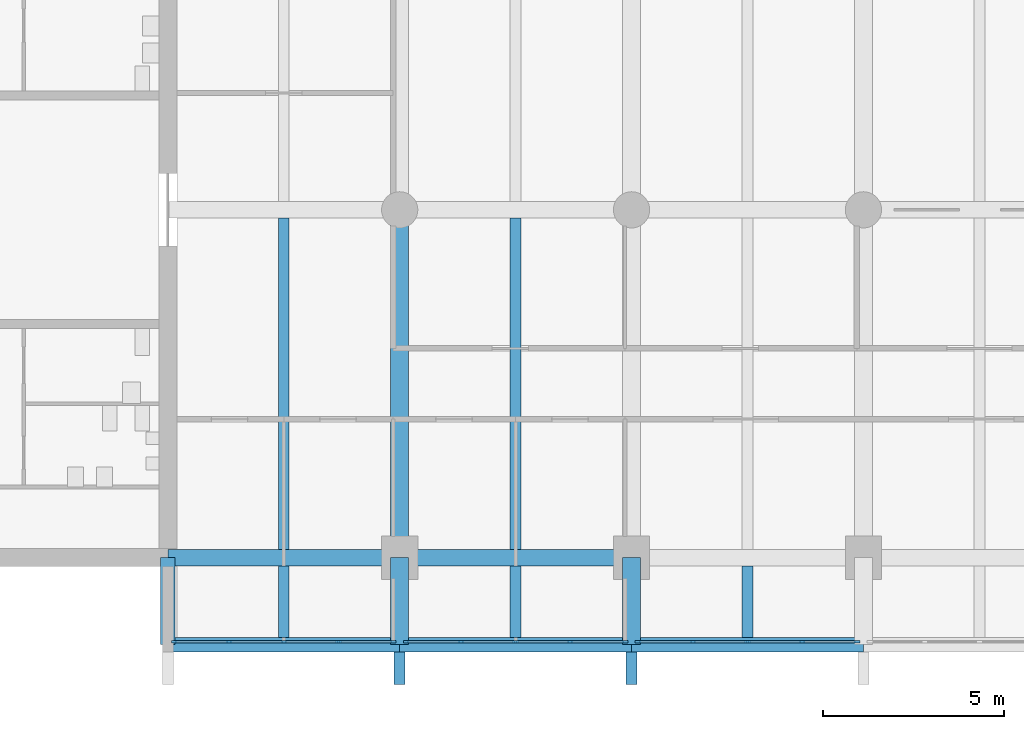
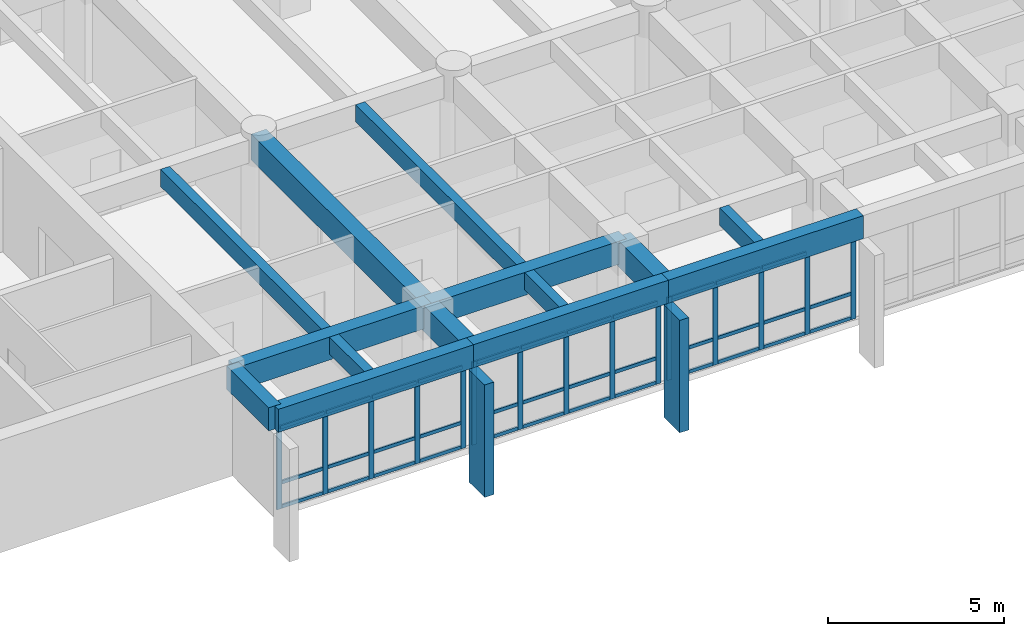
# One storey, part 2 of 15: 52 members, 14 beams, 3 elements without a shape of their own.
"""IFC4 building model written with IfcOpenShell, lengths in metres."""

from ifc_helpers import new_model, si_unit, direction, frame, origin, origin_2d, place, context, subcontext, project, spatial, rectangle, extrude, material, layer, layer_set, material_profile, profile_set, type_object, element, aggregate, save


model = new_model("IFC4")

# Units and contexts
model_context = context("Model", 3, precision=1e-05, world=origin(), true_north=direction((0.0, 1.0)))
body_context = subcontext(model_context, "Body", "Model", "MODEL_VIEW")
ifc_project = project(units=[si_unit("LENGTHUNIT", "METRE"), si_unit("AREAUNIT", "SQUARE_METRE"), si_unit("VOLUMEUNIT", "CUBIC_METRE"), si_unit("PLANEANGLEUNIT", "RADIAN"), si_unit("MASSUNIT", "GRAM", prefix="KILO")], contexts=[model_context])

# Site, building, storey
site_placement = place(None, origin())
site = spatial("IfcSite", under=ifc_project, at=site_placement, CompositionType="ELEMENT")
building_placement = place(site_placement, origin())
building = spatial("IfcBuilding", under=site, at=building_placement, Name="Fogon Plaza Fire Station and Headquarters Tower", CompositionType="ELEMENT")
storey_placement = place(building_placement, frame((0.0, 0.0, 28.800048828125)))
storey = spatial("IfcBuildingStorey", under=building, at=storey_placement, Name="L07", CompositionType="ELEMENT", Elevation=28.800048828125)

# Beams
ifc_material_1 = material(Name="Concrete C40", Category="concrete")
ifc_material_profile_1 = material_profile(ifc_material_1, rectangle(XDim=0.39990234375, YDim=0.800048828125, at=origin_2d()), Name="RC 400x800")
ifc_profile_set_1 = profile_set([ifc_material_profile_1], Name="Concrete C40")
beam_type_1 = type_object("IfcBeamType", Name="BEAM RC 400x800", PredefinedType="BEAM", material=ifc_profile_set_1)
for number, where, z_axis, x_axis, name in (
    (1, (25.60009765625, 31.199951171875, 3.280029296875), (1.0, 0.0, 0.0), (0.0, 1.0, 0.0), "beam-L07-039"),
    (2, (32.0, 31.199951171875, 3.280029296875), (1.0, 0.0, 0.0), (0.0, 1.0, 0.0), "beam-L07-040"),
):
    element("IfcBeam", number, at=place(storey_placement, frame(where, z_axis=z_axis, x_axis=x_axis)), inside=storey, type_object=beam_type_1, Name=name, PredefinedType="BEAM", context=body_context, shape_type="SweptSolid", body=[
        extrude(rectangle(XDim=0.39990234375, YDim=0.800048828125, at=origin_2d()), origin(), (0.0, 0.0, 1.0), 6.39990234375),
    ])
beam_1_placement = place(storey_placement, frame((38.39990234375, 31.199951171875, 3.280029296875), z_axis=(1.0, 0.0, 0.0), x_axis=(0.0, 1.0, 0.0)))
element("IfcBeam", 3, at=beam_1_placement, inside=storey, type_object=beam_type_1, Name="beam-L07-041", PredefinedType="BEAM", context=body_context, shape_type="SweptSolid", body=[
    extrude(rectangle(XDim=0.39990234375, YDim=0.800048828125, at=origin_2d()), origin(), (0.0, 0.0, 1.0), 6.400146484375),
])
ifc_material_2 = material(Name="Concrete C40", Category="concrete")
ifc_material_profile_2 = material_profile(ifc_material_2, rectangle(XDim=0.39990234375, YDim=0.800048828125, at=origin_2d()), Name="RC 400x800")
ifc_profile_set_2 = profile_set([ifc_material_profile_2], Name="Concrete C40")
beam_type_2 = type_object("IfcBeamType", Name="BEAM RC 400x800 SPAN 0.0 TO 3.0 M", PredefinedType="BEAM", material=ifc_profile_set_2)
beam_2_placement = place(storey_placement, frame((25.60009765625, 31.199951171875, 3.280029296875), z_axis=(0.0, 1.0, 0.0), x_axis=(-1.0, 0.0, 0.0)))
element("IfcBeam", 4, at=beam_2_placement, inside=storey, type_object=beam_type_2, Name="beam-L07-051", PredefinedType="BEAM", context=body_context, shape_type="SweptSolid", body=[
    extrude(rectangle(XDim=0.39990234375, YDim=0.800048828125, at=origin_2d()), origin(), (0.0, 0.0, 1.0), 2.400146484375),
])
ifc_material_3 = material(Name="Concrete C40", Category="concrete")
ifc_material_profile_3 = material_profile(ifc_material_3, rectangle(XDim=0.449951171875, YDim=0.800048828125, at=origin_2d()), Name="RC 450x800")
ifc_profile_set_3 = profile_set([ifc_material_profile_3], Name="Concrete C40")
beam_type_3 = type_object("IfcBeamType", Name="BEAM RC 450x800", PredefinedType="BEAM", material=ifc_profile_set_3)
for number, where, z_axis, x_axis, name in (
    (5, (25.60009765625, 33.60009765625, 3.280029296875), (1.0, 0.0, 0.0), (0.0, 1.0, 0.0), "beam-L07-021"),
    (6, (32.0, 33.60009765625, 3.280029296875), (1.0, 0.0, 0.0), (0.0, 1.0, 0.0), "beam-L07-022"),
):
    element("IfcBeam", number, at=place(storey_placement, frame(where, z_axis=z_axis, x_axis=x_axis)), inside=storey, type_object=beam_type_3, Name=name, PredefinedType="BEAM", context=body_context, shape_type="SweptSolid", body=[
        extrude(rectangle(XDim=0.449951171875, YDim=0.800048828125, at=origin_2d()), origin(), (0.0, 0.0, 1.0), 6.39990234375),
    ])
ifc_material_4 = material(Name="Concrete C40", Category="concrete")
ifc_material_profile_4 = material_profile(ifc_material_4, rectangle(XDim=0.5, YDim=0.89990234375, at=origin_2d()), Name="RC 500x900")
ifc_profile_set_4 = profile_set([ifc_material_profile_4], Name="Concrete C40")
beam_type_4 = type_object("IfcBeamType", Name="BEAM RC 500x900 SPAN 0.0 TO 3.0 M", PredefinedType="BEAM", material=ifc_profile_set_4)
for number, where, z_axis, x_axis, name in (
    (7, (32.0, 31.199951171875, 3.22998046875), (0.0, 1.0, 0.0), (-1.0, 0.0, 0.0), "beam-L07-001"),
    (8, (38.39990234375, 31.199951171875, 3.22998046875), (0.0, 1.0, 0.0), (-1.0, 0.0, 0.0), "beam-L07-005"),
):
    element("IfcBeam", number, at=place(storey_placement, frame(where, z_axis=z_axis, x_axis=x_axis)), inside=storey, type_object=beam_type_4, Name=name, PredefinedType="BEAM", context=body_context, shape_type="SweptSolid", body=[
        extrude(rectangle(XDim=0.5, YDim=0.89990234375, at=origin_2d()), origin(), (0.0, 0.0, 1.0), 2.400146484375),
    ])
ifc_material_5 = material(Name="Concrete C40", Category="concrete")
ifc_material_profile_5 = material_profile(ifc_material_5, rectangle(XDim=0.5, YDim=0.89990234375, at=origin_2d()), Name="RC 500x900")
ifc_profile_set_5 = profile_set([ifc_material_profile_5], Name="Concrete C40")
beam_type_5 = type_object("IfcBeamType", Name="BEAM RC 500x900 SPAN 7.7 TO 12.3 M", PredefinedType="BEAM", material=ifc_profile_set_5)
beam_3_placement = place(storey_placement, frame((32.0, 33.60009765625, 3.22998046875), z_axis=(0.0, 1.0, 0.0), x_axis=(-1.0, 0.0, 0.0)))
element("IfcBeam", 9, at=beam_3_placement, inside=storey, type_object=beam_type_5, Name="beam-L07-002", PredefinedType="BEAM", context=body_context, shape_type="SweptSolid", body=[
    extrude(rectangle(XDim=0.5, YDim=0.89990234375, at=origin_2d()), origin(), (0.0, 0.0, 1.0), 9.599853515625),
])

# Curtain wall, members
ifc_material_6 = material(Name="Aluminium and glass", Category="aluminium")
ifc_layer = layer(ifc_material_6, 0.14990234375)
ifc_layer_set = layer_set([ifc_layer], Name="Aluminium and glass")
curtain_wall_type = type_object("IfcCurtainWallType", Name="Unitised Curtain Wall Run 6100x2880", PredefinedType="NOTDEFINED", material=ifc_layer_set)
curtain_wall_1_placement = place(storey_placement, origin())
curtain_wall_1 = element("IfcCurtainWall", 10, at=curtain_wall_1_placement, inside=storey, type_object=curtain_wall_type, Name="CW-6100x2880 S1 L07", PredefinedType="NOTDEFINED")
ifc_material_7 = material(Name="Aluminium", Category="aluminium")
ifc_material_profile_6 = material_profile(ifc_material_7, rectangle(XDim=0.06005859375, YDim=0.159912109375, at=origin_2d()), Name="Curtain Wall Mullion 60x160")
ifc_profile_set_6 = profile_set([ifc_material_profile_6], Name="Aluminium")
member_type_1 = type_object("IfcMemberType", Name="Curtain Wall Mullion 60x160", PredefinedType="MULLION", material=ifc_profile_set_6)
member_1_placement = place(storey_placement, frame((25.780029296875, 31.280029296875, 0.0), z_axis=(0.0, 0.0, 1.0), x_axis=(0.0, 1.0, 0.0)))
member_1 = element("IfcMember", 11, at=member_1_placement, type_object=member_type_1, Name="CW-6100x2880 mullion 1", PredefinedType="MULLION", context=body_context, shape_type="SweptSolid", body=[
    extrude(rectangle(XDim=0.06005859375, YDim=0.159912109375, at=origin_2d()), origin(), (0.0, 0.0, 1.0), 2.8798828125),
])
member_2_placement = place(storey_placement, frame((27.2900390625, 31.280029296875, 0.0), z_axis=(0.0, 0.0, 1.0), x_axis=(0.0, 1.0, 0.0)))
member_2 = element("IfcMember", 12, at=member_2_placement, type_object=member_type_1, Name="CW-6100x2880 mullion 2", PredefinedType="MULLION", context=body_context, shape_type="SweptSolid", body=[
    extrude(rectangle(XDim=0.06005859375, YDim=0.159912109375, at=origin_2d()), origin(), (0.0, 0.0, 1.0), 2.8798828125),
])
member_3_placement = place(storey_placement, frame((28.800048828125, 31.280029296875, 0.0), z_axis=(0.0, 0.0, 1.0), x_axis=(0.0, 1.0, 0.0)))
member_3 = element("IfcMember", 13, at=member_3_placement, type_object=member_type_1, Name="CW-6100x2880 mullion 3", PredefinedType="MULLION", context=body_context, shape_type="SweptSolid", body=[
    extrude(rectangle(XDim=0.06005859375, YDim=0.159912109375, at=origin_2d()), origin(), (0.0, 0.0, 1.0), 2.8798828125),
])
member_4_placement = place(storey_placement, frame((30.31005859375, 31.280029296875, 0.0), z_axis=(0.0, 0.0, 1.0), x_axis=(0.0, 1.0, 0.0)))
member_4 = element("IfcMember", 14, at=member_4_placement, type_object=member_type_1, Name="CW-6100x2880 mullion 4", PredefinedType="MULLION", context=body_context, shape_type="SweptSolid", body=[
    extrude(rectangle(XDim=0.06005859375, YDim=0.159912109375, at=origin_2d()), origin(), (0.0, 0.0, 1.0), 2.8798828125),
])
member_5_placement = place(storey_placement, frame((31.820068359375, 31.280029296875, 0.0), z_axis=(0.0, 0.0, 1.0), x_axis=(0.0, 1.0, 0.0)))
member_5 = element("IfcMember", 15, at=member_5_placement, type_object=member_type_1, Name="CW-6100x2880 mullion 5", PredefinedType="MULLION", context=body_context, shape_type="SweptSolid", body=[
    extrude(rectangle(XDim=0.06005859375, YDim=0.159912109375, at=origin_2d()), origin(), (0.0, 0.0, 1.0), 2.8798828125),
])

curtain_wall_2_placement = place(storey_placement, origin())
curtain_wall_2 = element("IfcCurtainWall", 16, at=curtain_wall_2_placement, inside=storey, type_object=curtain_wall_type, Name="CW-6100x2880 S2 L07", PredefinedType="NOTDEFINED")
member_6_placement = place(storey_placement, frame((32.179931640625, 31.280029296875, 0.0), z_axis=(0.0, 0.0, 1.0), x_axis=(0.0, 1.0, 0.0)))
member_6 = element("IfcMember", 17, at=member_6_placement, type_object=member_type_1, Name="CW-6100x2880 mullion 1", PredefinedType="MULLION", context=body_context, shape_type="SweptSolid", body=[
    extrude(rectangle(XDim=0.06005859375, YDim=0.159912109375, at=origin_2d()), origin(), (0.0, 0.0, 1.0), 2.8798828125),
])
member_7_placement = place(storey_placement, frame((33.68994140625, 31.280029296875, 0.0), z_axis=(0.0, 0.0, 1.0), x_axis=(0.0, 1.0, 0.0)))
member_7 = element("IfcMember", 18, at=member_7_placement, type_object=member_type_1, Name="CW-6100x2880 mullion 2", PredefinedType="MULLION", context=body_context, shape_type="SweptSolid", body=[
    extrude(rectangle(XDim=0.06005859375, YDim=0.159912109375, at=origin_2d()), origin(), (0.0, 0.0, 1.0), 2.8798828125),
])
member_8_placement = place(storey_placement, frame((35.199951171875, 31.280029296875, 0.0), z_axis=(0.0, 0.0, 1.0), x_axis=(0.0, 1.0, 0.0)))
member_8 = element("IfcMember", 19, at=member_8_placement, type_object=member_type_1, Name="CW-6100x2880 mullion 3", PredefinedType="MULLION", context=body_context, shape_type="SweptSolid", body=[
    extrude(rectangle(XDim=0.06005859375, YDim=0.159912109375, at=origin_2d()), origin(), (0.0, 0.0, 1.0), 2.8798828125),
])
member_9_placement = place(storey_placement, frame((36.7099609375, 31.280029296875, 0.0), z_axis=(0.0, 0.0, 1.0), x_axis=(0.0, 1.0, 0.0)))
member_9 = element("IfcMember", 20, at=member_9_placement, type_object=member_type_1, Name="CW-6100x2880 mullion 4", PredefinedType="MULLION", context=body_context, shape_type="SweptSolid", body=[
    extrude(rectangle(XDim=0.06005859375, YDim=0.159912109375, at=origin_2d()), origin(), (0.0, 0.0, 1.0), 2.8798828125),
])
member_10_placement = place(storey_placement, frame((38.219970703125, 31.280029296875, 0.0), z_axis=(0.0, 0.0, 1.0), x_axis=(0.0, 1.0, 0.0)))
member_10 = element("IfcMember", 21, at=member_10_placement, type_object=member_type_1, Name="CW-6100x2880 mullion 5", PredefinedType="MULLION", context=body_context, shape_type="SweptSolid", body=[
    extrude(rectangle(XDim=0.06005859375, YDim=0.159912109375, at=origin_2d()), origin(), (0.0, 0.0, 1.0), 2.8798828125),
])

curtain_wall_3_placement = place(storey_placement, origin())
curtain_wall_3 = element("IfcCurtainWall", 22, at=curtain_wall_3_placement, inside=storey, type_object=curtain_wall_type, Name="CW-6100x2880 S3 L07", PredefinedType="NOTDEFINED")
member_11_placement = place(storey_placement, frame((38.580078125, 31.280029296875, 0.0), z_axis=(0.0, 0.0, 1.0), x_axis=(0.0, 1.0, 0.0)))
member_11 = element("IfcMember", 23, at=member_11_placement, type_object=member_type_1, Name="CW-6100x2880 mullion 1", PredefinedType="MULLION", context=body_context, shape_type="SweptSolid", body=[
    extrude(rectangle(XDim=0.06005859375, YDim=0.159912109375, at=origin_2d()), origin(), (0.0, 0.0, 1.0), 2.8798828125),
])
member_12_placement = place(storey_placement, frame((40.090087890625, 31.280029296875, 0.0), z_axis=(0.0, 0.0, 1.0), x_axis=(0.0, 1.0, 0.0)))
member_12 = element("IfcMember", 24, at=member_12_placement, type_object=member_type_1, Name="CW-6100x2880 mullion 2", PredefinedType="MULLION", context=body_context, shape_type="SweptSolid", body=[
    extrude(rectangle(XDim=0.06005859375, YDim=0.159912109375, at=origin_2d()), origin(), (0.0, 0.0, 1.0), 2.8798828125),
])
member_13_placement = place(storey_placement, frame((41.60009765625, 31.280029296875, 0.0), z_axis=(0.0, 0.0, 1.0), x_axis=(0.0, 1.0, 0.0)))
member_13 = element("IfcMember", 25, at=member_13_placement, type_object=member_type_1, Name="CW-6100x2880 mullion 3", PredefinedType="MULLION", context=body_context, shape_type="SweptSolid", body=[
    extrude(rectangle(XDim=0.06005859375, YDim=0.159912109375, at=origin_2d()), origin(), (0.0, 0.0, 1.0), 2.8798828125),
])
member_14_placement = place(storey_placement, frame((43.110107421875, 31.280029296875, 0.0), z_axis=(0.0, 0.0, 1.0), x_axis=(0.0, 1.0, 0.0)))
member_14 = element("IfcMember", 26, at=member_14_placement, type_object=member_type_1, Name="CW-6100x2880 mullion 4", PredefinedType="MULLION", context=body_context, shape_type="SweptSolid", body=[
    extrude(rectangle(XDim=0.06005859375, YDim=0.159912109375, at=origin_2d()), origin(), (0.0, 0.0, 1.0), 2.8798828125),
])
member_15_placement = place(storey_placement, frame((44.6201171875, 31.280029296875, 0.0), z_axis=(0.0, 0.0, 1.0), x_axis=(0.0, 1.0, 0.0)))
member_15 = element("IfcMember", 27, at=member_15_placement, type_object=member_type_1, Name="CW-6100x2880 mullion 5", PredefinedType="MULLION", context=body_context, shape_type="SweptSolid", body=[
    extrude(rectangle(XDim=0.06005859375, YDim=0.159912109375, at=origin_2d()), origin(), (0.0, 0.0, 1.0), 2.8798828125),
])

# Member
ifc_material_8 = material(Name="Aluminium", Category="aluminium")
ifc_material_profile_7 = material_profile(ifc_material_8, rectangle(XDim=0.06005859375, YDim=0.1201171875, at=origin_2d()), Name="Curtain Wall Transom 60x120")
ifc_profile_set_7 = profile_set([ifc_material_profile_7], Name="Aluminium")
member_type_2 = type_object("IfcMemberType", Name="Curtain Wall Transom 60x120", PredefinedType="USERDEFINED", material=ifc_profile_set_7)
member_16_placement = place(storey_placement, frame((25.81005859375, 31.280029296875, 0.06005859375), z_axis=(1.0, 0.0, 0.0), x_axis=(0.0, 1.0, 0.0)))
member_16 = element("IfcMember", 28, at=member_16_placement, type_object=member_type_2, Name="CW-6100x2880 transom 1.1", ObjectType="TRANSOM", PredefinedType="USERDEFINED", context=body_context, shape_type="SweptSolid", body=[
    extrude(rectangle(XDim=0.06005859375, YDim=0.1201171875, at=origin_2d()), origin(), (0.0, 0.0, 1.0), 1.449951171875),
])

member_17_placement = place(storey_placement, frame((25.81005859375, 31.280029296875, 0.89990234375), z_axis=(1.0, 0.0, 0.0), x_axis=(0.0, 1.0, 0.0)))
member_17 = element("IfcMember", 29, at=member_17_placement, type_object=member_type_2, Name="CW-6100x2880 transom 1.2", ObjectType="TRANSOM", PredefinedType="USERDEFINED", context=body_context, shape_type="SweptSolid", body=[
    extrude(rectangle(XDim=0.06005859375, YDim=0.1201171875, at=origin_2d()), origin(), (0.0, 0.0, 1.0), 1.449951171875),
])

member_18_placement = place(storey_placement, frame((25.81005859375, 31.280029296875, 2.820068359375), z_axis=(1.0, 0.0, 0.0), x_axis=(0.0, 1.0, 0.0)))
member_18 = element("IfcMember", 30, at=member_18_placement, type_object=member_type_2, Name="CW-6100x2880 transom 1.3", ObjectType="TRANSOM", PredefinedType="USERDEFINED", context=body_context, shape_type="SweptSolid", body=[
    extrude(rectangle(XDim=0.06005859375, YDim=0.1201171875, at=origin_2d()), origin(), (0.0, 0.0, 1.0), 1.449951171875),
])

member_19_placement = place(storey_placement, frame((27.320068359375, 31.280029296875, 0.06005859375), z_axis=(1.0, 0.0, 0.0), x_axis=(0.0, 1.0, 0.0)))
member_19 = element("IfcMember", 31, at=member_19_placement, type_object=member_type_2, Name="CW-6100x2880 transom 2.1", ObjectType="TRANSOM", PredefinedType="USERDEFINED", context=body_context, shape_type="SweptSolid", body=[
    extrude(rectangle(XDim=0.06005859375, YDim=0.1201171875, at=origin_2d()), origin(), (0.0, 0.0, 1.0), 1.449951171875),
])

member_20_placement = place(storey_placement, frame((27.320068359375, 31.280029296875, 0.89990234375), z_axis=(1.0, 0.0, 0.0), x_axis=(0.0, 1.0, 0.0)))
member_20 = element("IfcMember", 32, at=member_20_placement, type_object=member_type_2, Name="CW-6100x2880 transom 2.2", ObjectType="TRANSOM", PredefinedType="USERDEFINED", context=body_context, shape_type="SweptSolid", body=[
    extrude(rectangle(XDim=0.06005859375, YDim=0.1201171875, at=origin_2d()), origin(), (0.0, 0.0, 1.0), 1.449951171875),
])

member_21_placement = place(storey_placement, frame((27.320068359375, 31.280029296875, 2.820068359375), z_axis=(1.0, 0.0, 0.0), x_axis=(0.0, 1.0, 0.0)))
member_21 = element("IfcMember", 33, at=member_21_placement, type_object=member_type_2, Name="CW-6100x2880 transom 2.3", ObjectType="TRANSOM", PredefinedType="USERDEFINED", context=body_context, shape_type="SweptSolid", body=[
    extrude(rectangle(XDim=0.06005859375, YDim=0.1201171875, at=origin_2d()), origin(), (0.0, 0.0, 1.0), 1.449951171875),
])

member_22_placement = place(storey_placement, frame((28.830078125, 31.280029296875, 0.06005859375), z_axis=(1.0, 0.0, 0.0), x_axis=(0.0, 1.0, 0.0)))
member_22 = element("IfcMember", 34, at=member_22_placement, type_object=member_type_2, Name="CW-6100x2880 transom 3.1", ObjectType="TRANSOM", PredefinedType="USERDEFINED", context=body_context, shape_type="SweptSolid", body=[
    extrude(rectangle(XDim=0.06005859375, YDim=0.1201171875, at=origin_2d()), origin(), (0.0, 0.0, 1.0), 1.449951171875),
])

member_23_placement = place(storey_placement, frame((28.830078125, 31.280029296875, 0.89990234375), z_axis=(1.0, 0.0, 0.0), x_axis=(0.0, 1.0, 0.0)))
member_23 = element("IfcMember", 35, at=member_23_placement, type_object=member_type_2, Name="CW-6100x2880 transom 3.2", ObjectType="TRANSOM", PredefinedType="USERDEFINED", context=body_context, shape_type="SweptSolid", body=[
    extrude(rectangle(XDim=0.06005859375, YDim=0.1201171875, at=origin_2d()), origin(), (0.0, 0.0, 1.0), 1.449951171875),
])

member_24_placement = place(storey_placement, frame((28.830078125, 31.280029296875, 2.820068359375), z_axis=(1.0, 0.0, 0.0), x_axis=(0.0, 1.0, 0.0)))
member_24 = element("IfcMember", 36, at=member_24_placement, type_object=member_type_2, Name="CW-6100x2880 transom 3.3", ObjectType="TRANSOM", PredefinedType="USERDEFINED", context=body_context, shape_type="SweptSolid", body=[
    extrude(rectangle(XDim=0.06005859375, YDim=0.1201171875, at=origin_2d()), origin(), (0.0, 0.0, 1.0), 1.449951171875),
])

member_25_placement = place(storey_placement, frame((30.340087890625, 31.280029296875, 0.06005859375), z_axis=(1.0, 0.0, 0.0), x_axis=(0.0, 1.0, 0.0)))
member_25 = element("IfcMember", 37, at=member_25_placement, type_object=member_type_2, Name="CW-6100x2880 transom 4.1", ObjectType="TRANSOM", PredefinedType="USERDEFINED", context=body_context, shape_type="SweptSolid", body=[
    extrude(rectangle(XDim=0.06005859375, YDim=0.1201171875, at=origin_2d()), origin(), (0.0, 0.0, 1.0), 1.449951171875),
])

member_26_placement = place(storey_placement, frame((30.340087890625, 31.280029296875, 0.89990234375), z_axis=(1.0, 0.0, 0.0), x_axis=(0.0, 1.0, 0.0)))
member_26 = element("IfcMember", 38, at=member_26_placement, type_object=member_type_2, Name="CW-6100x2880 transom 4.2", ObjectType="TRANSOM", PredefinedType="USERDEFINED", context=body_context, shape_type="SweptSolid", body=[
    extrude(rectangle(XDim=0.06005859375, YDim=0.1201171875, at=origin_2d()), origin(), (0.0, 0.0, 1.0), 1.449951171875),
])

member_27_placement = place(storey_placement, frame((30.340087890625, 31.280029296875, 2.820068359375), z_axis=(1.0, 0.0, 0.0), x_axis=(0.0, 1.0, 0.0)))
member_27 = element("IfcMember", 39, at=member_27_placement, type_object=member_type_2, Name="CW-6100x2880 transom 4.3", ObjectType="TRANSOM", PredefinedType="USERDEFINED", context=body_context, shape_type="SweptSolid", body=[
    extrude(rectangle(XDim=0.06005859375, YDim=0.1201171875, at=origin_2d()), origin(), (0.0, 0.0, 1.0), 1.449951171875),
])

aggregate(curtain_wall_1, [member_1, member_2, member_3, member_4, member_5, member_16, member_17, member_18, member_19, member_20, member_21, member_22, member_23, member_24, member_25, member_26, member_27])

member_28_placement = place(storey_placement, frame((32.2099609375, 31.280029296875, 0.06005859375), z_axis=(1.0, 0.0, 0.0), x_axis=(0.0, 1.0, 0.0)))
member_28 = element("IfcMember", 40, at=member_28_placement, type_object=member_type_2, Name="CW-6100x2880 transom 1.1", ObjectType="TRANSOM", PredefinedType="USERDEFINED", context=body_context, shape_type="SweptSolid", body=[
    extrude(rectangle(XDim=0.06005859375, YDim=0.1201171875, at=origin_2d()), origin(), (0.0, 0.0, 1.0), 1.449951171875),
])

member_29_placement = place(storey_placement, frame((32.2099609375, 31.280029296875, 0.89990234375), z_axis=(1.0, 0.0, 0.0), x_axis=(0.0, 1.0, 0.0)))
member_29 = element("IfcMember", 41, at=member_29_placement, type_object=member_type_2, Name="CW-6100x2880 transom 1.2", ObjectType="TRANSOM", PredefinedType="USERDEFINED", context=body_context, shape_type="SweptSolid", body=[
    extrude(rectangle(XDim=0.06005859375, YDim=0.1201171875, at=origin_2d()), origin(), (0.0, 0.0, 1.0), 1.449951171875),
])

member_30_placement = place(storey_placement, frame((32.2099609375, 31.280029296875, 2.820068359375), z_axis=(1.0, 0.0, 0.0), x_axis=(0.0, 1.0, 0.0)))
member_30 = element("IfcMember", 42, at=member_30_placement, type_object=member_type_2, Name="CW-6100x2880 transom 1.3", ObjectType="TRANSOM", PredefinedType="USERDEFINED", context=body_context, shape_type="SweptSolid", body=[
    extrude(rectangle(XDim=0.06005859375, YDim=0.1201171875, at=origin_2d()), origin(), (0.0, 0.0, 1.0), 1.449951171875),
])

member_31_placement = place(storey_placement, frame((33.719970703125, 31.280029296875, 0.06005859375), z_axis=(1.0, 0.0, 0.0), x_axis=(0.0, 1.0, 0.0)))
member_31 = element("IfcMember", 43, at=member_31_placement, type_object=member_type_2, Name="CW-6100x2880 transom 2.1", ObjectType="TRANSOM", PredefinedType="USERDEFINED", context=body_context, shape_type="SweptSolid", body=[
    extrude(rectangle(XDim=0.06005859375, YDim=0.1201171875, at=origin_2d()), origin(), (0.0, 0.0, 1.0), 1.449951171875),
])

member_32_placement = place(storey_placement, frame((33.719970703125, 31.280029296875, 0.89990234375), z_axis=(1.0, 0.0, 0.0), x_axis=(0.0, 1.0, 0.0)))
member_32 = element("IfcMember", 44, at=member_32_placement, type_object=member_type_2, Name="CW-6100x2880 transom 2.2", ObjectType="TRANSOM", PredefinedType="USERDEFINED", context=body_context, shape_type="SweptSolid", body=[
    extrude(rectangle(XDim=0.06005859375, YDim=0.1201171875, at=origin_2d()), origin(), (0.0, 0.0, 1.0), 1.449951171875),
])

member_33_placement = place(storey_placement, frame((33.719970703125, 31.280029296875, 2.820068359375), z_axis=(1.0, 0.0, 0.0), x_axis=(0.0, 1.0, 0.0)))
member_33 = element("IfcMember", 45, at=member_33_placement, type_object=member_type_2, Name="CW-6100x2880 transom 2.3", ObjectType="TRANSOM", PredefinedType="USERDEFINED", context=body_context, shape_type="SweptSolid", body=[
    extrude(rectangle(XDim=0.06005859375, YDim=0.1201171875, at=origin_2d()), origin(), (0.0, 0.0, 1.0), 1.449951171875),
])

member_34_placement = place(storey_placement, frame((35.22998046875, 31.280029296875, 0.06005859375), z_axis=(1.0, 0.0, 0.0), x_axis=(0.0, 1.0, 0.0)))
member_34 = element("IfcMember", 46, at=member_34_placement, type_object=member_type_2, Name="CW-6100x2880 transom 3.1", ObjectType="TRANSOM", PredefinedType="USERDEFINED", context=body_context, shape_type="SweptSolid", body=[
    extrude(rectangle(XDim=0.06005859375, YDim=0.1201171875, at=origin_2d()), origin(), (0.0, 0.0, 1.0), 1.449951171875),
])

member_35_placement = place(storey_placement, frame((35.22998046875, 31.280029296875, 0.89990234375), z_axis=(1.0, 0.0, 0.0), x_axis=(0.0, 1.0, 0.0)))
member_35 = element("IfcMember", 47, at=member_35_placement, type_object=member_type_2, Name="CW-6100x2880 transom 3.2", ObjectType="TRANSOM", PredefinedType="USERDEFINED", context=body_context, shape_type="SweptSolid", body=[
    extrude(rectangle(XDim=0.06005859375, YDim=0.1201171875, at=origin_2d()), origin(), (0.0, 0.0, 1.0), 1.449951171875),
])

member_36_placement = place(storey_placement, frame((35.22998046875, 31.280029296875, 2.820068359375), z_axis=(1.0, 0.0, 0.0), x_axis=(0.0, 1.0, 0.0)))
member_36 = element("IfcMember", 48, at=member_36_placement, type_object=member_type_2, Name="CW-6100x2880 transom 3.3", ObjectType="TRANSOM", PredefinedType="USERDEFINED", context=body_context, shape_type="SweptSolid", body=[
    extrude(rectangle(XDim=0.06005859375, YDim=0.1201171875, at=origin_2d()), origin(), (0.0, 0.0, 1.0), 1.449951171875),
])

member_37_placement = place(storey_placement, frame((36.739990234375, 31.280029296875, 0.06005859375), z_axis=(1.0, 0.0, 0.0), x_axis=(0.0, 1.0, 0.0)))
member_37 = element("IfcMember", 49, at=member_37_placement, type_object=member_type_2, Name="CW-6100x2880 transom 4.1", ObjectType="TRANSOM", PredefinedType="USERDEFINED", context=body_context, shape_type="SweptSolid", body=[
    extrude(rectangle(XDim=0.06005859375, YDim=0.1201171875, at=origin_2d()), origin(), (0.0, 0.0, 1.0), 1.449951171875),
])

member_38_placement = place(storey_placement, frame((36.739990234375, 31.280029296875, 0.89990234375), z_axis=(1.0, 0.0, 0.0), x_axis=(0.0, 1.0, 0.0)))
member_38 = element("IfcMember", 50, at=member_38_placement, type_object=member_type_2, Name="CW-6100x2880 transom 4.2", ObjectType="TRANSOM", PredefinedType="USERDEFINED", context=body_context, shape_type="SweptSolid", body=[
    extrude(rectangle(XDim=0.06005859375, YDim=0.1201171875, at=origin_2d()), origin(), (0.0, 0.0, 1.0), 1.449951171875),
])

member_39_placement = place(storey_placement, frame((36.739990234375, 31.280029296875, 2.820068359375), z_axis=(1.0, 0.0, 0.0), x_axis=(0.0, 1.0, 0.0)))
member_39 = element("IfcMember", 51, at=member_39_placement, type_object=member_type_2, Name="CW-6100x2880 transom 4.3", ObjectType="TRANSOM", PredefinedType="USERDEFINED", context=body_context, shape_type="SweptSolid", body=[
    extrude(rectangle(XDim=0.06005859375, YDim=0.1201171875, at=origin_2d()), origin(), (0.0, 0.0, 1.0), 1.449951171875),
])

aggregate(curtain_wall_2, [member_6, member_7, member_8, member_9, member_10, member_28, member_29, member_30, member_31, member_32, member_33, member_34, member_35, member_36, member_37, member_38, member_39])

member_40_placement = place(storey_placement, frame((38.610107421875, 31.280029296875, 0.06005859375), z_axis=(1.0, 0.0, 0.0), x_axis=(0.0, 1.0, 0.0)))
member_40 = element("IfcMember", 52, at=member_40_placement, type_object=member_type_2, Name="CW-6100x2880 transom 1.1", ObjectType="TRANSOM", PredefinedType="USERDEFINED", context=body_context, shape_type="SweptSolid", body=[
    extrude(rectangle(XDim=0.06005859375, YDim=0.1201171875, at=origin_2d()), origin(), (0.0, 0.0, 1.0), 1.449951171875),
])

member_41_placement = place(storey_placement, frame((38.610107421875, 31.280029296875, 0.89990234375), z_axis=(1.0, 0.0, 0.0), x_axis=(0.0, 1.0, 0.0)))
member_41 = element("IfcMember", 53, at=member_41_placement, type_object=member_type_2, Name="CW-6100x2880 transom 1.2", ObjectType="TRANSOM", PredefinedType="USERDEFINED", context=body_context, shape_type="SweptSolid", body=[
    extrude(rectangle(XDim=0.06005859375, YDim=0.1201171875, at=origin_2d()), origin(), (0.0, 0.0, 1.0), 1.449951171875),
])

member_42_placement = place(storey_placement, frame((38.610107421875, 31.280029296875, 2.820068359375), z_axis=(1.0, 0.0, 0.0), x_axis=(0.0, 1.0, 0.0)))
member_42 = element("IfcMember", 54, at=member_42_placement, type_object=member_type_2, Name="CW-6100x2880 transom 1.3", ObjectType="TRANSOM", PredefinedType="USERDEFINED", context=body_context, shape_type="SweptSolid", body=[
    extrude(rectangle(XDim=0.06005859375, YDim=0.1201171875, at=origin_2d()), origin(), (0.0, 0.0, 1.0), 1.449951171875),
])

member_43_placement = place(storey_placement, frame((40.1201171875, 31.280029296875, 0.06005859375), z_axis=(1.0, 0.0, 0.0), x_axis=(0.0, 1.0, 0.0)))
member_43 = element("IfcMember", 55, at=member_43_placement, type_object=member_type_2, Name="CW-6100x2880 transom 2.1", ObjectType="TRANSOM", PredefinedType="USERDEFINED", context=body_context, shape_type="SweptSolid", body=[
    extrude(rectangle(XDim=0.06005859375, YDim=0.1201171875, at=origin_2d()), origin(), (0.0, 0.0, 1.0), 1.449951171875),
])

member_44_placement = place(storey_placement, frame((40.1201171875, 31.280029296875, 0.89990234375), z_axis=(1.0, 0.0, 0.0), x_axis=(0.0, 1.0, 0.0)))
member_44 = element("IfcMember", 56, at=member_44_placement, type_object=member_type_2, Name="CW-6100x2880 transom 2.2", ObjectType="TRANSOM", PredefinedType="USERDEFINED", context=body_context, shape_type="SweptSolid", body=[
    extrude(rectangle(XDim=0.06005859375, YDim=0.1201171875, at=origin_2d()), origin(), (0.0, 0.0, 1.0), 1.449951171875),
])

member_45_placement = place(storey_placement, frame((40.1201171875, 31.280029296875, 2.820068359375), z_axis=(1.0, 0.0, 0.0), x_axis=(0.0, 1.0, 0.0)))
member_45 = element("IfcMember", 57, at=member_45_placement, type_object=member_type_2, Name="CW-6100x2880 transom 2.3", ObjectType="TRANSOM", PredefinedType="USERDEFINED", context=body_context, shape_type="SweptSolid", body=[
    extrude(rectangle(XDim=0.06005859375, YDim=0.1201171875, at=origin_2d()), origin(), (0.0, 0.0, 1.0), 1.449951171875),
])

member_46_placement = place(storey_placement, frame((41.6298828125, 31.280029296875, 0.06005859375), z_axis=(1.0, 0.0, 0.0), x_axis=(0.0, 1.0, 0.0)))
member_46 = element("IfcMember", 58, at=member_46_placement, type_object=member_type_2, Name="CW-6100x2880 transom 3.1", ObjectType="TRANSOM", PredefinedType="USERDEFINED", context=body_context, shape_type="SweptSolid", body=[
    extrude(rectangle(XDim=0.06005859375, YDim=0.1201171875, at=origin_2d()), origin(), (0.0, 0.0, 1.0), 1.4501953125),
])

member_47_placement = place(storey_placement, frame((41.6298828125, 31.280029296875, 0.89990234375), z_axis=(1.0, 0.0, 0.0), x_axis=(0.0, 1.0, 0.0)))
member_47 = element("IfcMember", 59, at=member_47_placement, type_object=member_type_2, Name="CW-6100x2880 transom 3.2", ObjectType="TRANSOM", PredefinedType="USERDEFINED", context=body_context, shape_type="SweptSolid", body=[
    extrude(rectangle(XDim=0.06005859375, YDim=0.1201171875, at=origin_2d()), origin(), (0.0, 0.0, 1.0), 1.4501953125),
])

member_48_placement = place(storey_placement, frame((41.6298828125, 31.280029296875, 2.820068359375), z_axis=(1.0, 0.0, 0.0), x_axis=(0.0, 1.0, 0.0)))
member_48 = element("IfcMember", 60, at=member_48_placement, type_object=member_type_2, Name="CW-6100x2880 transom 3.3", ObjectType="TRANSOM", PredefinedType="USERDEFINED", context=body_context, shape_type="SweptSolid", body=[
    extrude(rectangle(XDim=0.06005859375, YDim=0.1201171875, at=origin_2d()), origin(), (0.0, 0.0, 1.0), 1.4501953125),
])

member_49_placement = place(storey_placement, frame((43.139892578125, 31.280029296875, 0.06005859375), z_axis=(1.0, 0.0, 0.0), x_axis=(0.0, 1.0, 0.0)))
member_49 = element("IfcMember", 61, at=member_49_placement, type_object=member_type_2, Name="CW-6100x2880 transom 4.1", ObjectType="TRANSOM", PredefinedType="USERDEFINED", context=body_context, shape_type="SweptSolid", body=[
    extrude(rectangle(XDim=0.06005859375, YDim=0.1201171875, at=origin_2d()), origin(), (0.0, 0.0, 1.0), 1.4501953125),
])

member_50_placement = place(storey_placement, frame((43.139892578125, 31.280029296875, 0.89990234375), z_axis=(1.0, 0.0, 0.0), x_axis=(0.0, 1.0, 0.0)))
member_50 = element("IfcMember", 62, at=member_50_placement, type_object=member_type_2, Name="CW-6100x2880 transom 4.2", ObjectType="TRANSOM", PredefinedType="USERDEFINED", context=body_context, shape_type="SweptSolid", body=[
    extrude(rectangle(XDim=0.06005859375, YDim=0.1201171875, at=origin_2d()), origin(), (0.0, 0.0, 1.0), 1.4501953125),
])

aggregate(curtain_wall_3, [member_11, member_12, member_13, member_14, member_15, member_40, member_41, member_42, member_43, member_44, member_45, member_46, member_47, member_48, member_49, member_50])

# Beams
ifc_material_9 = material(Name="Concrete C40", Category="concrete")
ifc_material_profile_8 = material_profile(ifc_material_9, rectangle(XDim=0.300048828125, YDim=0.60009765625, at=origin_2d()), Name="RC 300x600")
ifc_profile_set_8 = profile_set([ifc_material_profile_8], Name="Concrete C40")
beam_type_6 = type_object("IfcBeamType", Name="JOIST RC 300x600", PredefinedType="JOIST", material=ifc_profile_set_8)
for number, where, z_axis, x_axis, name in (
    (63, (28.800048828125, 33.824951171875, 3.3798828125), (0.0, 1.0, 0.0), (-1.0, 0.0, 0.0), "beam-L07-056"),
    (64, (35.199951171875, 33.824951171875, 3.3798828125), (0.0, 1.0, 0.0), (-1.0, 0.0, 0.0), "beam-L07-060"),
):
    element("IfcBeam", number, at=place(storey_placement, frame(where, z_axis=z_axis, x_axis=x_axis)), inside=storey, type_object=beam_type_6, Name=name, PredefinedType="JOIST", context=body_context, shape_type="SweptSolid", body=[
        extrude(rectangle(XDim=0.300048828125, YDim=0.60009765625, at=origin_2d()), origin(), (0.0, 0.0, 1.0), 9.150146484375),
    ])
ifc_material_10 = material(Name="Concrete C40", Category="concrete")
ifc_material_profile_9 = material_profile(ifc_material_10, rectangle(XDim=0.300048828125, YDim=0.60009765625, at=origin_2d()), Name="RC 300x600")
ifc_profile_set_9 = profile_set([ifc_material_profile_9], Name="Concrete C40")
beam_type_7 = type_object("IfcBeamType", Name="JOIST RC 300x600 SPAN 0.0 TO 3.0 M", PredefinedType="JOIST", material=ifc_profile_set_9)
for number, where, z_axis, x_axis, name in (
    (65, (28.800048828125, 31.39990234375, 3.3798828125), (0.0, 1.0, 0.0), (-1.0, 0.0, 0.0), "beam-L07-055"),
    (66, (35.199951171875, 31.39990234375, 3.3798828125), (0.0, 1.0, 0.0), (-1.0, 0.0, 0.0), "beam-L07-059"),
    (67, (41.60009765625, 31.39990234375, 3.3798828125), (0.0, 1.0, 0.0), (-1.0, 0.0, 0.0), "beam-L07-063"),
):
    element("IfcBeam", number, at=place(storey_placement, frame(where, z_axis=z_axis, x_axis=x_axis)), inside=storey, type_object=beam_type_7, Name=name, PredefinedType="JOIST", context=body_context, shape_type="SweptSolid", body=[
        extrude(rectangle(XDim=0.300048828125, YDim=0.60009765625, at=origin_2d()), origin(), (0.0, 0.0, 1.0), 1.97509765625),
    ])

# Members
ifc_material_11 = material(Name="Concrete C40 precast", Category="concrete")
ifc_material_profile_10 = material_profile(ifc_material_11, rectangle(XDim=0.300048828125, YDim=0.89990234375, at=origin_2d()), Name="Precast Concrete Post 300x900")
ifc_profile_set_10 = profile_set([ifc_material_profile_10], Name="Concrete C40 precast")
member_type_3 = type_object("IfcMemberType", Name="Precast Concrete Post 300x900", PredefinedType="POST", material=ifc_profile_set_10)
for number, where, z_axis, x_axis, name in (
    (68, (32.0, 30.550048828125, -1.02001953125), (0.0, 0.0, 1.0), (1.0, 0.0, 0.0), "Precast Post S L07"),
    (69, (38.39990234375, 30.550048828125, -1.02001953125), (0.0, 0.0, 1.0), (1.0, 0.0, 0.0), "Precast Post S L07"),
):
    element("IfcMember", number, at=place(storey_placement, frame(where, z_axis=z_axis, x_axis=x_axis)), inside=storey, type_object=member_type_3, Name=name, PredefinedType="POST", context=body_context, shape_type="SweptSolid", body=[
        extrude(rectangle(XDim=0.300048828125, YDim=0.89990234375, at=origin_2d()), origin(), (0.0, 0.0, 1.0), 3.89990234375),
    ])

save(model, "model.ifc")
